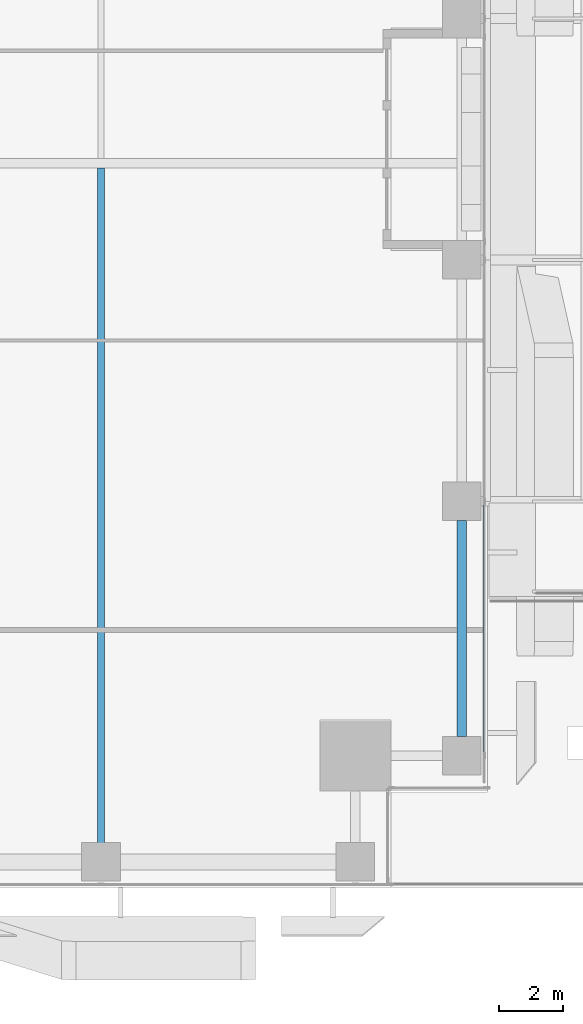
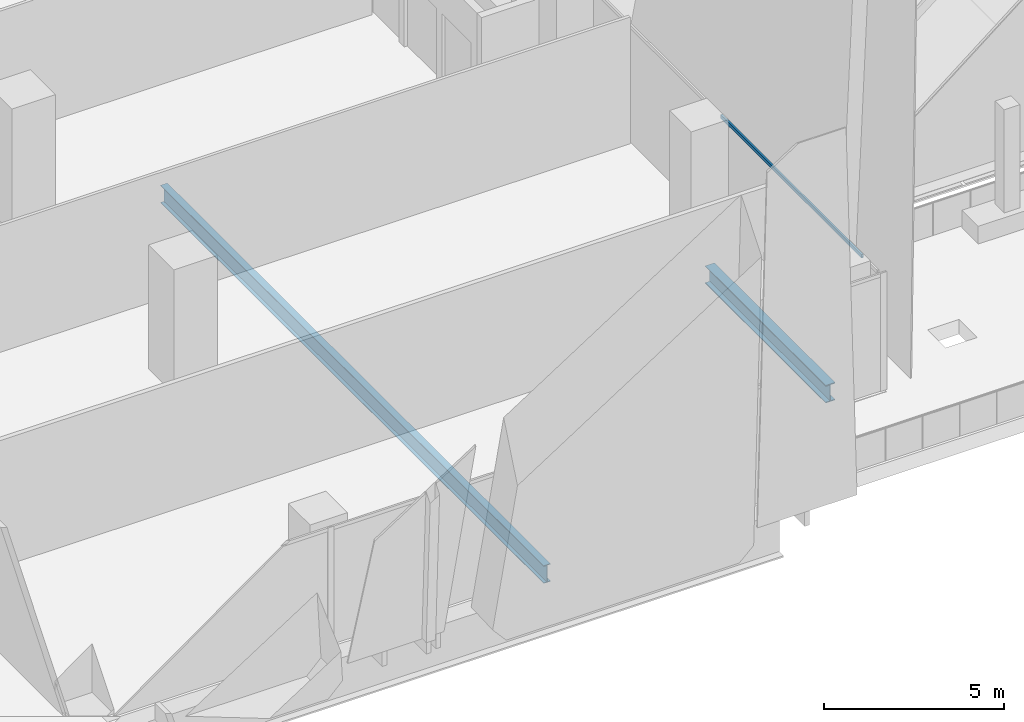
# One storey, part 9 of 46: 2 beams, 1 member, 1 element without a shape of its own.
"""IFC4 building model written with IfcOpenShell, lengths in metres."""

from ifc_helpers import new_model, si_unit, direction, frame, origin, origin_2d, place, context, subcontext, project, spatial, hollow_rectangle, i_section, extrude, source, transform, mapped, material, material_profile, profile_set, type_object, element, aggregate, save


model = new_model("IFC4")

# Units and contexts
model_context = context("Model", 3, precision=1e-05, world=origin(), true_north=direction((0.0, 1.0)))
body_context = subcontext(model_context, "Body", "Model", "MODEL_VIEW")
ifc_project = project(units=[si_unit("LENGTHUNIT", "METRE"), si_unit("AREAUNIT", "SQUARE_METRE"), si_unit("VOLUMEUNIT", "CUBIC_METRE"), si_unit("PLANEANGLEUNIT", "RADIAN"), si_unit("MASSUNIT", "GRAM", prefix="KILO")], contexts=[model_context])

# Site, building, storey
site_placement = place(None, origin())
site = spatial("IfcSite", under=ifc_project, at=site_placement, CompositionType="ELEMENT")
building_placement = place(site_placement, origin())
building = spatial("IfcBuilding", under=site, at=building_placement, Name="Khomas Fold Tower", CompositionType="ELEMENT")
storey_placement = place(building_placement, frame((0.0, 0.0, 33.0)))
storey = spatial("IfcBuildingStorey", under=building, at=storey_placement, Name="L06", CompositionType="ELEMENT", Elevation=33.0)

# Beams
ifc_material_1 = material(Name="Steel S355", Category="steel")
ifc_material_profile_1 = material_profile(ifc_material_1, i_section(OverallWidth=0.300048828125, OverallDepth=0.60009765625, WebThickness=0.015380859375, FlangeThickness=0.030029296875, at=origin_2d()), Name="HE 600 B")
ifc_profile_set_1 = profile_set([ifc_material_profile_1], Name="Steel S355")
beam_type_1 = type_object("IfcBeamType", Name="HE 600 B spandrel SB1", PredefinedType="SPANDREL", material=ifc_profile_set_1)
shared_shape_1 = source(origin(), body_context, "Body", "SweptSolid", [
    extrude(i_section(OverallWidth=0.300048828125, OverallDepth=0.60009765625, WebThickness=0.015380859375, FlangeThickness=0.030029296875, at=origin_2d()), origin(), (0.0, 0.0, 1.0), 6.699951171875),
])
beam_1_placement = place(storey_placement, frame((53.199951171875, 4.699951171875, -0.800048828125), z_axis=(0.0, 1.0, 0.0), x_axis=(-1.0, 0.0, 0.0)))
element("IfcBeam", 1, at=beam_1_placement, inside=storey, type_object=beam_type_1, Name="SB1", PredefinedType="SPANDREL", context=body_context, shape_type="MappedRepresentation", body=[
    mapped(shared_shape_1, transform((0.0, 0.0, 0.0))),
])
ifc_material_2 = material(Name="Steel S355", Category="steel")
ifc_material_profile_2 = material_profile(ifc_material_2, i_section(OverallWidth=0.219970703125, OverallDepth=0.60009765625, WebThickness=0.011962890625, FlangeThickness=0.01904296875, at=origin_2d()), Name="IPE 600")
ifc_profile_set_2 = profile_set([ifc_material_profile_2], Name="Steel S355")
beam_type_2 = type_object("IfcBeamType", Name="IPE 600 beam JB7", PredefinedType="BEAM", material=ifc_profile_set_2)
shared_shape_2 = source(origin(), body_context, "Body", "SweptSolid", [
    extrude(i_section(OverallWidth=0.219970703125, OverallDepth=0.60009765625, WebThickness=0.011962890625, FlangeThickness=0.01904296875, at=origin_2d()), origin(), (0.0, 0.0, 1.0), 21.300048828125),
])
beam_2_placement = place(storey_placement, frame((42.0, 1.050048828125, -0.800048828125), z_axis=(0.0, 1.0, 0.0), x_axis=(-1.0, 0.0, 0.0)))
element("IfcBeam", 2, at=beam_2_placement, inside=storey, type_object=beam_type_2, Name="JB7", PredefinedType="BEAM", context=body_context, shape_type="MappedRepresentation", body=[
    mapped(shared_shape_2, transform((0.0, 0.0, 0.0))),
])

# Curtain wall, member
ifc_material_3 = material(Name="Aluminium framed double glazing", Category="aluminium")
curtain_wall_type = type_object("IfcCurtainWallType", Name="SK-Unitised clear-glass wall, growing floors CW1", PredefinedType="NOTDEFINED", material=ifc_material_3)
curtain_wall_placement = place(storey_placement, origin())
curtain_wall = element("IfcCurtainWall", 3, at=curtain_wall_placement, inside=storey, type_object=curtain_wall_type, Name="CW1 run L06 03-0", PredefinedType="NOTDEFINED")
ifc_material_4 = material(Name="Aluminium", Category="aluminium")
ifc_material_profile_3 = material_profile(ifc_material_4, hollow_rectangle(XDim=0.06005859375, YDim=0.1201171875, WallThickness=0.00390625, at=origin_2d()), Name="SK-Unitised clear-glass wall, growing floors transom CW1-T")
ifc_profile_set_3 = profile_set([ifc_material_profile_3], Name="Aluminium")
member_type = type_object("IfcMemberType", Name="SK-Unitised clear-glass wall, growing floors transom CW1-T", PredefinedType="USERDEFINED", material=ifc_profile_set_3)
shared_shape_3 = source(origin(), body_context, "Body", "SweptSolid", [
    extrude(hollow_rectangle(XDim=0.06005859375, YDim=0.1201171875, WallThickness=0.00390625, at=origin_2d()), origin(), (0.0, 0.0, 1.0), 7.840087890625),
])
member_placement = place(storey_placement, frame((53.89990234375, 4.1298828125, 3.93994140625), z_axis=(0.0, 1.0, 0.0), x_axis=(-1.0, 0.0, 0.0)))
member = element("IfcMember", 4, at=member_placement, type_object=member_type, Name="CW1 transom 2", ObjectType="TRANSOM", PredefinedType="USERDEFINED", context=body_context, shape_type="MappedRepresentation", body=[
    mapped(shared_shape_3, transform((0.0, 0.0, 0.0))),
])
aggregate(curtain_wall, [member])

save(model, "model.ifc")
